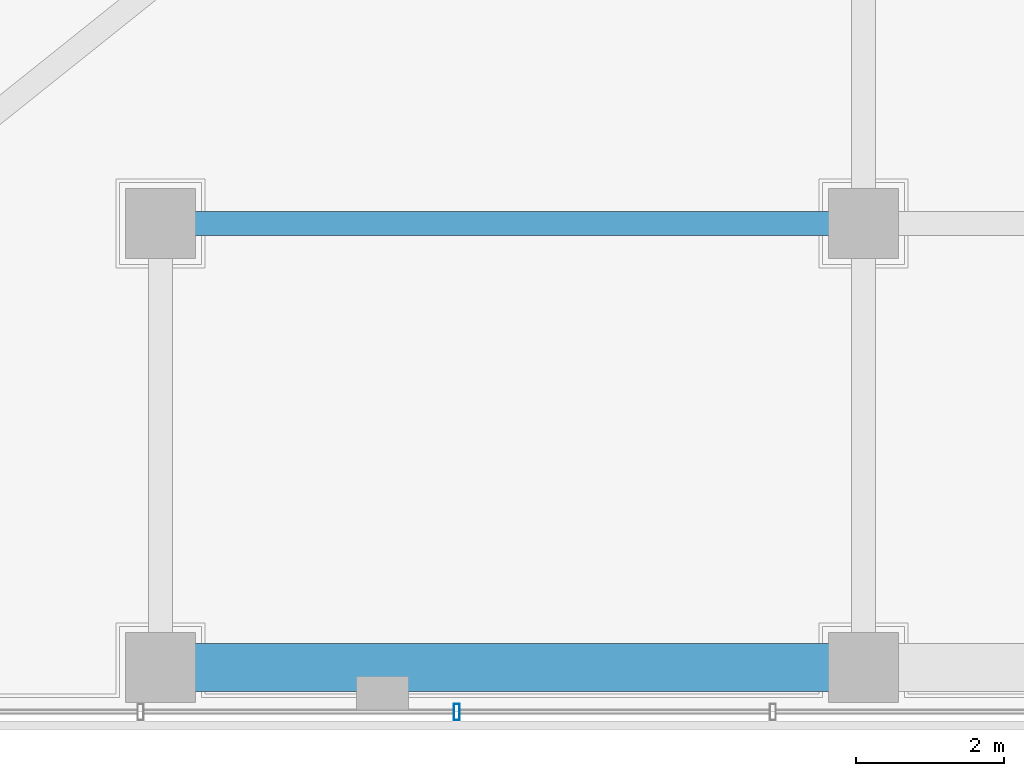
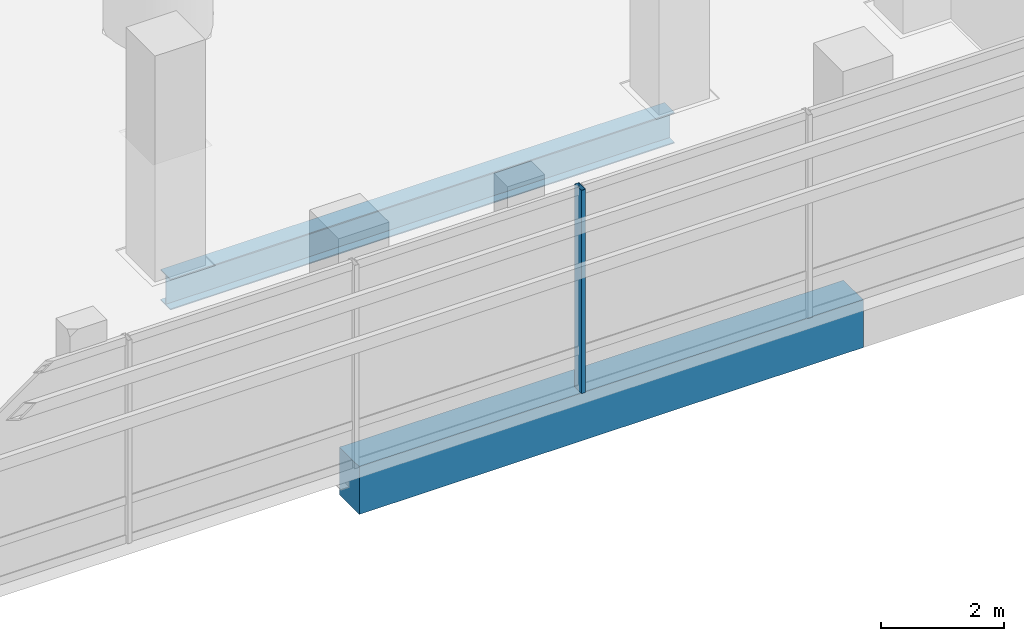
# One storey, part 9 of 36: 2 beams, 1 member, 1 element without a shape of its own.
"""IFC4 building model written with IfcOpenShell, lengths in metres."""

from ifc_helpers import new_model, si_unit, direction, frame, origin, origin_2d, place, context, subcontext, project, spatial, rectangle, hollow_rectangle, i_section, extrude, source, transform, mapped, material, material_profile, profile_set, type_object, element, aggregate, save


model = new_model("IFC4")

# Units and contexts
model_context = context("Model", 3, precision=1e-05, world=origin(), true_north=direction((-0.2419218956, 0.970295726276)))
body_context = subcontext(model_context, "Body", "Model", "MODEL_VIEW")
ifc_project = project(units=[si_unit("LENGTHUNIT", "METRE"), si_unit("AREAUNIT", "SQUARE_METRE"), si_unit("VOLUMEUNIT", "CUBIC_METRE"), si_unit("PLANEANGLEUNIT", "RADIAN"), si_unit("MASSUNIT", "GRAM", prefix="KILO")], contexts=[model_context])

# Site, building, storey
site_placement = place(None, origin())
site = spatial("IfcSite", under=ifc_project, at=site_placement, CompositionType="ELEMENT")
building_placement = place(site_placement, origin())
building = spatial("IfcBuilding", under=site, at=building_placement, Name="Cobrevalo Terracotta Tower", CompositionType="ELEMENT")
storey_placement = place(building_placement, frame((0.0, 0.0, 14.39990234375)))
storey = spatial("IfcBuildingStorey", under=building, at=storey_placement, Name="L03", CompositionType="ELEMENT", Elevation=14.39990234375)

# Beams
ifc_material_1 = material(Name="Steel S355", Category="steel")
ifc_material_profile_1 = material_profile(ifc_material_1, i_section(OverallWidth=0.324951171875, OverallDepth=0.615966796875, WebThickness=0.013916015625, FlangeThickness=0.021484375, at=origin_2d()), Name="W 610x174")
ifc_profile_set_1 = profile_set([ifc_material_profile_1], Name="Steel S355")
beam_type_1 = type_object("IfcBeamType", Name="Structural Beam W 610x174 (Steel S355)", PredefinedType="BEAM", material=ifc_profile_set_1)
beam_1_placement = place(storey_placement, frame((57.5, 8.800048828125, -0.60791015625), z_axis=(1.0, 0.0, 0.0), x_axis=(0.0, 1.0, 0.0)))
element("IfcBeam", 1, at=beam_1_placement, inside=storey, type_object=beam_type_1, Name="L03 podium grid beam G7-GB to G8-GB", PredefinedType="BEAM", context=body_context, shape_type="SweptSolid", body=[
    extrude(i_section(OverallWidth=0.324951171875, OverallDepth=0.615966796875, WebThickness=0.013916015625, FlangeThickness=0.021484375, at=origin_2d()), origin(), (0.0, 0.0, 1.0), 9.5),
])
ifc_material_2 = material(Name="Concrete C50", Category="concrete")
ifc_material_profile_2 = material_profile(ifc_material_2, rectangle(XDim=0.64990234375, YDim=0.949951171875, at=origin_2d()), Name="RC BM 650x950")
ifc_profile_set_2 = profile_set([ifc_material_profile_2], Name="Concrete C50")
beam_type_2 = type_object("IfcBeamType", Name="Structural Spandrel RC BM 650x950 (Concrete C50)", PredefinedType="SPANDREL", material=ifc_profile_set_2)
beam_2_placement = place(storey_placement, frame((57.5, 2.800048828125, -0.77490234375), z_axis=(1.0, 0.0, 0.0), x_axis=(0.0, 1.0, 0.0)))
element("IfcBeam", 2, at=beam_2_placement, inside=storey, type_object=beam_type_2, Name="L03 podium grid beam G7-GA to G8-GA", PredefinedType="SPANDREL", context=body_context, shape_type="SweptSolid", body=[
    extrude(rectangle(XDim=0.64990234375, YDim=0.949951171875, at=origin_2d()), origin(), (0.0, 0.0, 1.0), 9.5),
])

# Curtain wall, member
ifc_material_3 = material(Name="Anodized aluminium", Category="aluminium")
curtain_wall_type = type_object("IfcCurtainWallType", Name="Podium gallery & conservatory curtain wall CW-S2", PredefinedType="NOTDEFINED", material=ifc_material_3)
curtain_wall_placement = place(storey_placement, origin())
curtain_wall = element("IfcCurtainWall", 3, at=curtain_wall_placement, inside=storey, type_object=curtain_wall_type, Name="L03 curtain wall CW-POD-L03-S", PredefinedType="NOTDEFINED")
ifc_material_profile_3 = material_profile(ifc_material_3, hollow_rectangle(XDim=0.080078125, YDim=0.219970703125, WallThickness=0.0048828125, at=origin_2d()), Name="CWM 80x220")
ifc_profile_set_3 = profile_set([ifc_material_profile_3], Name="Anodized aluminium")
member_type = type_object("IfcMemberType", Name="Storefront & atrium aluminium mullion 80x220", PredefinedType="MULLION", material=ifc_profile_set_3)
shared_shape = source(origin(), body_context, "Body", "SweptSolid", [
    extrude(hollow_rectangle(XDim=0.080078125, YDim=0.219970703125, WallThickness=0.0048828125, at=origin_2d()), origin(), (0.0, 0.0, 1.0), 4.050048828125),
])
member_placement = place(storey_placement, frame((61.50341796875, 2.199951171875, 0.0), z_axis=(0.0, 0.0, 1.0), x_axis=(1.0, 0.0, 0.0)))
member = element("IfcMember", 4, at=member_placement, type_object=member_type, Name="CW-POD-L03-S vertical mullion 14", PredefinedType="MULLION", context=body_context, shape_type="MappedRepresentation", body=[
    mapped(shared_shape, transform((0.0, 0.0, 0.0), scale=1.0)),
])
aggregate(curtain_wall, [member])

save(model, "model.ifc")
